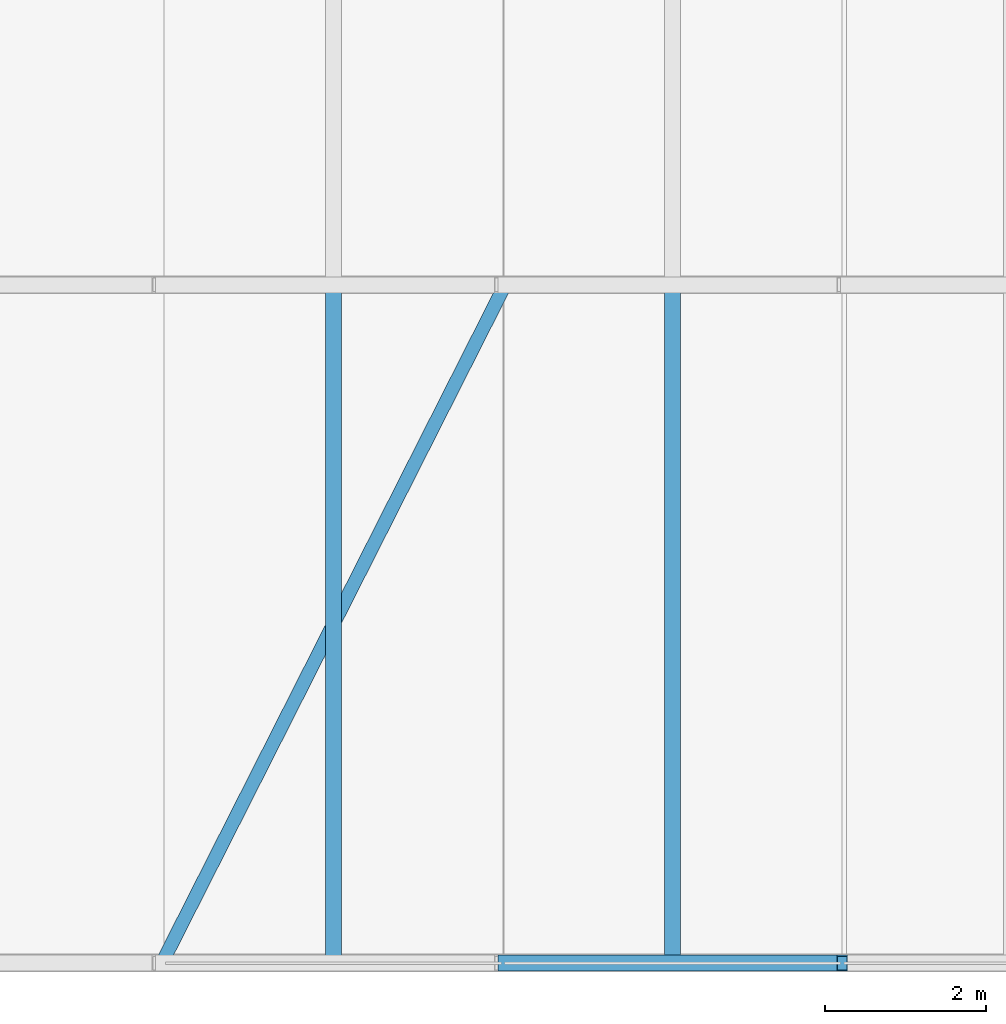
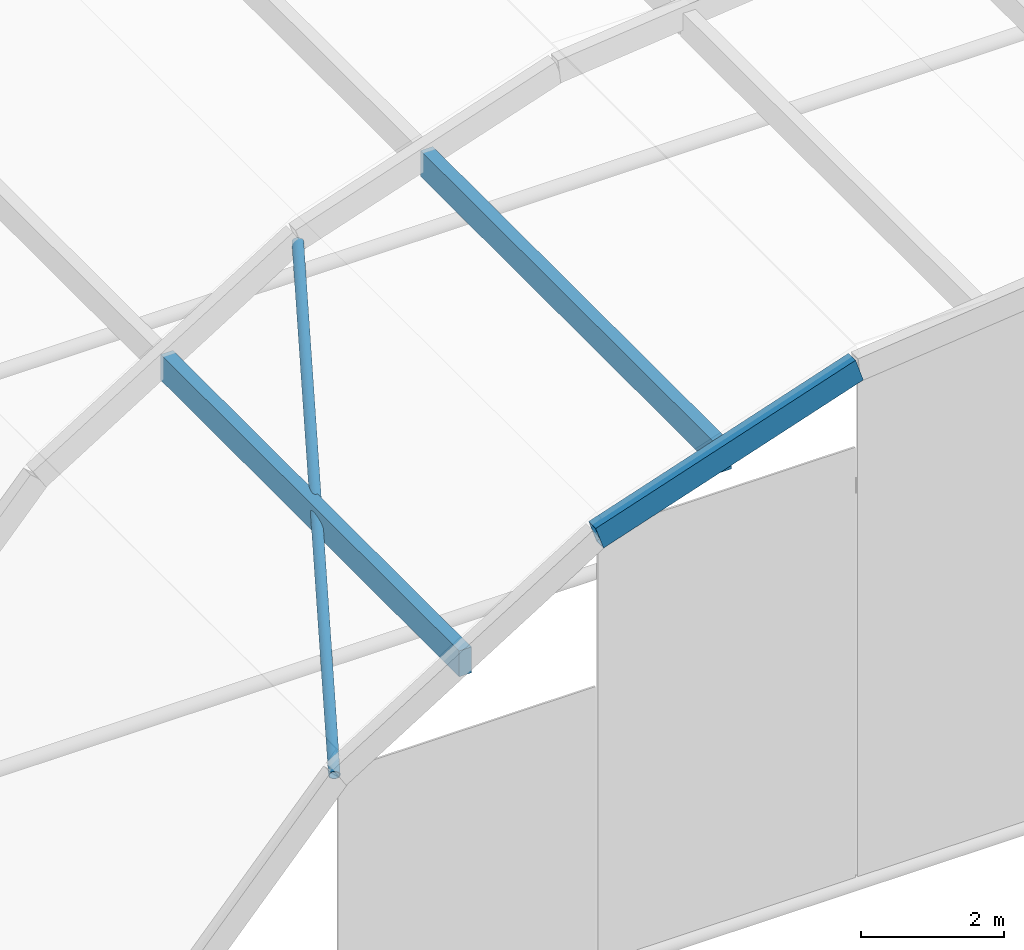
# One storey, part 12 of 114: 3 members, 1 beam.
"""IFC4 building model written with IfcOpenShell, lengths in metres."""

import ifcopenshell
import ifcopenshell.guid

model = None  # the IFC model being written
_history = None  # IfcOwnerHistory: only IFC2X3 demands one
_inside = {}  # id of a spatial element -> (the spatial element, [elements in it])
_under = {}  # id of a project, library or spatial element -> (it, [spatial elements below it])
_declared = {}  # id of a project -> (the project, [libraries it declares])
_typed = {}  # id of a type object -> (the type object, [elements of that type])
_made_of = {}  # id of a material, layer set ... -> (it, [elements and type objects made of it])


def new_model(schema):
    """Start an empty IFC model of exactly this schema.

    Asked for "IFC4X3", IfcOpenShell would pick the latest addendum, in which some entities
    have other attributes; the version numbers below select the first issue.
    IFC2X3 requires an IfcOwnerHistory on every rooted entity: one is made here for all.
    """
    global model, _history
    if schema == "IFC4X3":
        model = ifcopenshell.file(schema_version=(4, 3, 0, 0))
    else:
        model = ifcopenshell.file(schema=schema)
    _inside.clear()
    _under.clear()
    _declared.clear()
    _typed.clear()
    _made_of.clear()
    _history = None
    if model.schema == "IFC2X3":
        org = make("IfcOrganization", Name="unknown")
        user = make(
            "IfcPersonAndOrganization",
            ThePerson=make("IfcPerson", FamilyName="unknown"),
            TheOrganization=org,
        )
        app = make(
            "IfcApplication",
            ApplicationDeveloper=org,
            Version="unknown",
            ApplicationFullName="unknown",
            ApplicationIdentifier="unknown",
        )
        _history = make(
            "IfcOwnerHistory",
            OwningUser=user,
            OwningApplication=app,
            ChangeAction="ADDED",
            CreationDate=0,
        )
    return model


def make(cls, **values):
    """One entity of the class cls with the attributes given. An attribute that is None is left unset."""
    return model.create_entity(
        cls, **{name: value for name, value in values.items() if value is not None}
    )


def rooted(cls, **values):
    """An entity with a GlobalId (a new one), such as an element, a storey or a relation."""
    return make(cls, GlobalId=ifcopenshell.guid.new(), OwnerHistory=_history, **values)


def si_unit(unit_type, name, prefix=None):
    """IfcSIUnit, for example si_unit("LENGTHUNIT", "METRE", prefix="MILLI")."""
    return make("IfcSIUnit", UnitType=unit_type, Prefix=prefix, Name=name)


def assignment(units):
    """IfcUnitAssignment: the units of a project."""
    return None if units is None else make("IfcUnitAssignment", Units=units)


def point(xyz):
    """IfcCartesianPoint."""
    return None if xyz is None else make("IfcCartesianPoint", Coordinates=xyz)


def direction(xyz):
    """IfcDirection."""
    return None if xyz is None else make("IfcDirection", DirectionRatios=xyz)


def frame(location, z_axis=None, x_axis=None):
    """IfcAxis2Placement3D, a coordinate frame: its origin and axes. An axis left out is left unset."""
    return make(
        "IfcAxis2Placement3D",
        Location=point(location),
        Axis=direction(z_axis),
        RefDirection=direction(x_axis),
    )


def frame_2d(location, x_axis=None):
    """IfcAxis2Placement2D, a coordinate frame in the plane: its origin and x axis."""
    return make(
        "IfcAxis2Placement2D", Location=point(location), RefDirection=direction(x_axis)
    )


def origin():
    """The frame at (0, 0, 0) with its axes left unset."""
    return frame((0.0, 0.0, 0.0))


def origin_2d():
    """The frame at (0, 0) in the plane with its x axis left unset."""
    return frame_2d((0.0, 0.0))


def place(relative_to, where):
    """IfcLocalPlacement: puts the frame where relative to a parent placement (None: the world)."""
    return make(
        "IfcLocalPlacement", PlacementRelTo=relative_to, RelativePlacement=where
    )


def context(
    kind, dimensions, precision=None, world=None, true_north=None, identifier=None
):
    """IfcGeometricRepresentationContext, for example the 3D "Model" context."""
    return make(
        "IfcGeometricRepresentationContext",
        ContextIdentifier=identifier,
        ContextType=kind,
        CoordinateSpaceDimension=dimensions,
        Precision=precision,
        WorldCoordinateSystem=world,
        TrueNorth=true_north,
    )


def subcontext(parent, identifier, kind, view, scale=None):
    """IfcGeometricRepresentationSubContext, for example "Body" below "Model"."""
    return make(
        "IfcGeometricRepresentationSubContext",
        ContextIdentifier=identifier,
        ContextType=kind,
        ParentContext=parent,
        TargetScale=scale,
        TargetView=view,
    )


def project(units=None, contexts=None):
    """IfcProject with its units and contexts."""
    return rooted(
        "IfcProject",
        Name="project",
        RepresentationContexts=contexts,
        UnitsInContext=assignment(units),
    )


def spatial(cls, under=None, at=None, **own):
    """A site, building, storey or space (cls), placed at a placement, below another one or the project."""
    s = rooted(cls, ObjectPlacement=at, **own)
    if under is not None:
        _under.setdefault(under.id(), (under, []))[1].append(s)
    return s


def profile(cls, at=None, kind="AREA", **sizes):
    """A parametric profile (cls). Its sizes go by their IFC names, for example OverallWidth=200.0."""
    return make(cls, ProfileType=kind, Position=at, **sizes)


def rectangle(**sizes):
    """IfcRectangleProfileDef."""
    return profile("IfcRectangleProfileDef", **sizes)


def hollow_rectangle(**sizes):
    """IfcRectangleHollowProfileDef."""
    return profile("IfcRectangleHollowProfileDef", **sizes)


def hollow_circle(**sizes):
    """IfcCircleHollowProfileDef."""
    return profile("IfcCircleHollowProfileDef", **sizes)


def extrude(swept, where, along, depth):
    """IfcExtrudedAreaSolid: the profile swept, set in the frame where, extruded along a direction by depth."""
    return make(
        "IfcExtrudedAreaSolid",
        SweptArea=swept,
        Position=where,
        ExtrudedDirection=direction(along),
        Depth=depth,
    )


def shape(context_of_items, identifier, shape_type, items):
    """IfcShapeRepresentation: the items that make up one representation, for example the "Body"."""
    return make(
        "IfcShapeRepresentation",
        ContextOfItems=context_of_items,
        RepresentationIdentifier=identifier,
        RepresentationType=shape_type,
        Items=items,
    )


def material(Name=None, Category=None):
    """IfcMaterial."""
    return make("IfcMaterial", Name=Name, Category=Category)


def material_profile(
    of_material, cross_section, Name=None, Category=None, Priority=None
):
    """IfcMaterialProfile: a cross section and its material."""
    return make(
        "IfcMaterialProfile",
        Name=Name,
        Material=of_material,
        Profile=cross_section,
        Priority=Priority,
        Category=Category,
    )


def profile_set(profiles, Name=None, composite=None):
    """IfcMaterialProfileSet."""
    return make(
        "IfcMaterialProfileSet",
        Name=Name,
        MaterialProfiles=profiles,
        CompositeProfile=composite,
    )


def made_of(thing, what):
    """Note that an element or type object is made of a material, layer set ...; save() writes the relation."""
    if what is not None:
        _made_of.setdefault(what.id(), (what, []))[1].append(thing)
    return thing


def type_object(cls, material=None, **own):
    """A type object (cls), such as IfcWallType, which elements share."""
    return made_of(rooted(cls, **own), material)


def element(
    cls,
    number,
    at=None,
    inside=None,
    cuts=None,
    type_object=None,
    material=None,
    context=None,
    identifier="Body",
    shape_type=None,
    held_by="IfcProductDefinitionShape",
    body=None,
    shapes=None,
    **own,
):
    """One element of the class cls, such as IfcWall. Its Tag is "e" and its number.

    at: its placement. inside: the storey or other place that contains it. cuts: it is an
    opening in that element (IfcRelVoidsElement). A single representation is given by context,
    identifier, shape_type and body (its items); several are given by shapes. held_by: the class
    of the entity that holds the representations. save() writes the other relations.
    """
    e = rooted(cls, Tag="e%d" % number, ObjectPlacement=at, **own)
    if body is not None:
        shapes = [shape(context, identifier, shape_type, body)]
    if shapes is not None:
        e.Representation = make(held_by, Representations=shapes)
    if inside is not None:
        _inside.setdefault(inside.id(), (inside, []))[1].append(e)
    if cuts is not None:
        rooted(
            "IfcRelVoidsElement", RelatingBuildingElement=cuts, RelatedOpeningElement=e
        )
    if type_object is not None:
        _typed.setdefault(type_object.id(), (type_object, []))[1].append(e)
    return made_of(e, material)


def aggregate(whole, parts):
    """IfcRelAggregates: a whole, such as a stair, and the parts it consists of."""
    return rooted("IfcRelAggregates", RelatingObject=whole, RelatedObjects=parts)


def save(model, path):
    """Write the relations noted so far, then the file.

    IfcRelAggregates (storeys below a building ...), IfcRelContainedInSpatialStructure (elements
    in a storey), IfcRelDefinesByType, IfcRelAssociatesMaterial and IfcRelDeclares: one each for
    every whole, place, type object, material and project.
    """
    for whole, parts in _under.values():
        aggregate(whole, parts)
    for where, things in _inside.values():
        rooted(
            "IfcRelContainedInSpatialStructure",
            RelatedElements=things,
            RelatingStructure=where,
        )
    for kind, things in _typed.values():
        rooted("IfcRelDefinesByType", RelatedObjects=things, RelatingType=kind)
    for what, things in _made_of.values():
        rooted("IfcRelAssociatesMaterial", RelatedObjects=things, RelatingMaterial=what)
    for by, libraries in _declared.values():
        rooted("IfcRelDeclares", RelatingContext=by, RelatedDefinitions=libraries)
    model.write(path)


model = new_model("IFC4")

# Units and contexts
model_context = context("Model", 3, precision=1e-05, world=origin(), true_north=direction((0.0, 1.0)))
body_context = subcontext(model_context, "Body", "Model", "MODEL_VIEW")
ifc_project = project(units=[si_unit("LENGTHUNIT", "METRE"), si_unit("AREAUNIT", "SQUARE_METRE"), si_unit("VOLUMEUNIT", "CUBIC_METRE"), si_unit("PLANEANGLEUNIT", "RADIAN"), si_unit("MASSUNIT", "GRAM", prefix="KILO")], contexts=[model_context])

# Site, building, storey
site_placement = place(None, origin())
site = spatial("IfcSite", under=ifc_project, at=site_placement, CompositionType="ELEMENT")
building_placement = place(site_placement, origin())
building = spatial("IfcBuilding", under=site, at=building_placement, Name="Xazarin Passage Department Store", CompositionType="ELEMENT")
storey_placement = place(building_placement, frame((0.0, 0.0, 14.39990234375)))
storey = spatial("IfcBuildingStorey", under=building, at=storey_placement, Name="L03", CompositionType="ELEMENT", Elevation=14.39990234375)

# Beam
ifc_material_1 = material(Name="Steel S355", Category="steel")
ifc_material_profile_1 = material_profile(ifc_material_1, hollow_rectangle(XDim=0.199951171875, YDim=0.39990234375, WallThickness=0.01611328125, at=origin_2d()), Name="RHS 400x200x16")
ifc_profile_set_1 = profile_set([ifc_material_profile_1], Name="Steel S355")
beam_type = type_object("IfcBeamType", Name="STR-BM-AR400", PredefinedType="BEAM", material=ifc_profile_set_1)
beam_placement = place(storey_placement, frame((76.39990234375, 0.0, 8.95068359375), z_axis=(0.948462545979, 0.0, 0.31688925333), x_axis=(0.0, 1.0, 0.0)))
element("IfcBeam", 1, at=beam_placement, inside=storey, type_object=beam_type, Name="V2S Primary Arch Rib 1.3", PredefinedType="BEAM", context=body_context, shape_type="SweptSolid", body=[
    extrude(hollow_rectangle(XDim=0.199951171875, YDim=0.39990234375, WallThickness=0.01611328125, at=origin_2d()), origin(), (0.0, 0.0, 1.0), 4.428466796875),
])

# Members
ifc_material_profile_2 = material_profile(ifc_material_1, hollow_circle(Radius=0.084228515625, WallThickness=0.010009765625, at=origin_2d()), Name="CHS 168.3x10")
ifc_profile_set_2 = profile_set([ifc_material_profile_2], Name="Steel S355")
member_type_1 = type_object("IfcMemberType", Name="STR-MEM-BR168", PredefinedType="BRACE", material=ifc_profile_set_2)
member_placement = place(storey_placement, frame((72.199951171875, 0.050048828125, 6.281982421875), z_axis=(0.434609592328, 0.858886375073, 0.270977299733), x_axis=(-0.892269998561, 0.451502214467, 0.0)))
element("IfcMember", 2, at=member_placement, inside=storey, type_object=member_type_1, Name="V2S Gridshell Diagonal Brace 1.1", PredefinedType="BRACE", context=body_context, shape_type="SweptSolid", body=[
    extrude(hollow_circle(Radius=0.084228515625, WallThickness=0.010009765625, at=origin_2d()), origin(), (0.0, 0.0, 1.0), 9.663818359375),
])
ifc_material_2 = material(Name="Glulam GL28h", Category="wood")
ifc_material_profile_3 = material_profile(ifc_material_2, rectangle(XDim=0.199951171875, YDim=0.43994140625, at=origin_2d()), Name="GL28h 200x440")
ifc_profile_set_3 = profile_set([ifc_material_profile_3], Name="Glulam GL28h")
member_type_2 = type_object("IfcMemberType", Name="STR-MEM-GL440", PredefinedType="PURLIN", material=ifc_profile_set_3)
for number, where, z_axis, x_axis, name in (
    (3, (74.300048828125, 0.02001953125, 7.501220703125), (0.0, 1.0, 0.0), (-1.0, 0.0, 0.0), "V2S Glulam Gridshell Purlin 1.2"),
    (4, (78.5, 0.02001953125, 9.512451171875), (0.0, 1.0, 0.0), (-1.0, 0.0, 0.0), "V2S Glulam Gridshell Purlin 1.3"),
):
    element("IfcMember", number, at=place(storey_placement, frame(where, z_axis=z_axis, x_axis=x_axis)), inside=storey, type_object=member_type_2, Name=name, PredefinedType="PURLIN", context=body_context, shape_type="SweptSolid", body=[
        extrude(rectangle(XDim=0.199951171875, YDim=0.43994140625, at=origin_2d()), origin(), (0.0, 0.0, 1.0), 8.35986328125),
    ])

save(model, "model.ifc")
